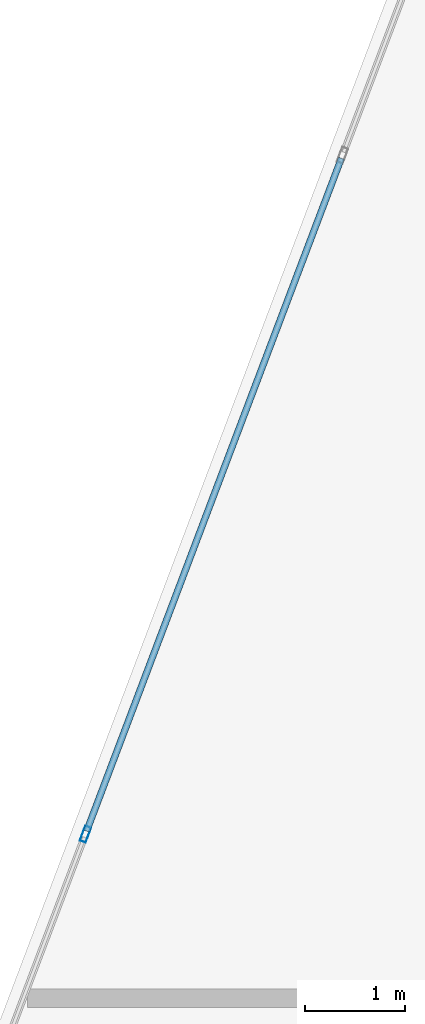
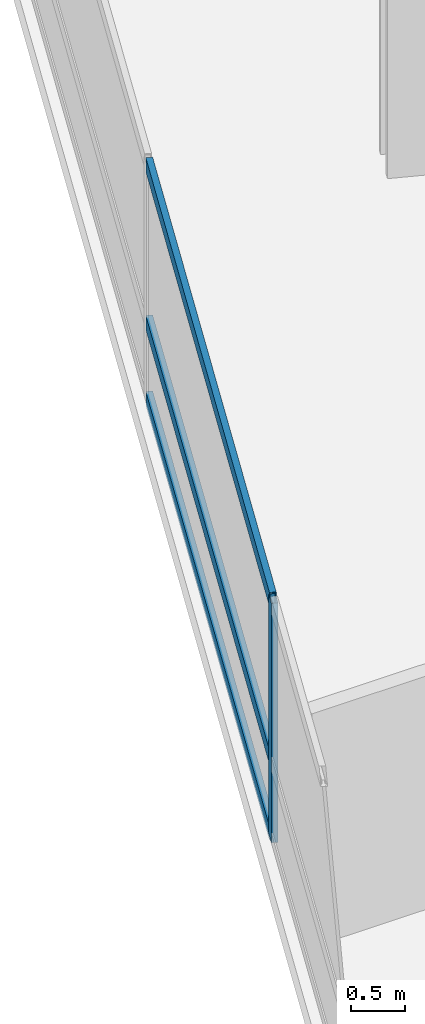
# One storey, part 4 of 26: 4 members, 1 element without a shape of its own.
"""IFC4 building model written with IfcOpenShell, lengths in metres."""

from ifc_helpers import new_model, si_unit, direction, frame, origin, origin_2d, place, context, subcontext, project, spatial, hollow_rectangle, extrude, material, layer, layer_set, material_profile, profile_set, type_object, element, aggregate, save


model = new_model("IFC4")

# Units and contexts
model_context = context("Model", 3, precision=1e-05, world=origin(), true_north=direction((0.0, 1.0)))
body_context = subcontext(model_context, "Body", "Model", "MODEL_VIEW")
ifc_project = project(units=[si_unit("LENGTHUNIT", "METRE"), si_unit("AREAUNIT", "SQUARE_METRE"), si_unit("VOLUMEUNIT", "CUBIC_METRE"), si_unit("PLANEANGLEUNIT", "RADIAN"), si_unit("MASSUNIT", "GRAM", prefix="KILO")], contexts=[model_context])

# Site, building, storey
site_placement = place(None, origin())
site = spatial("IfcSite", under=ifc_project, at=site_placement, CompositionType="ELEMENT")
building_placement = place(site_placement, origin())
building = spatial("IfcBuilding", under=site, at=building_placement, Name="Varnelok Gate Tower", CompositionType="ELEMENT")
storey_placement = place(building_placement, frame((0.0, 0.0, 109.5)))
storey = spatial("IfcBuildingStorey", under=building, at=storey_placement, Name="L27", CompositionType="ELEMENT", Elevation=109.5)

# Curtain wall, members
ifc_material = material(Name="Anodized Aluminum Alloy 6063-T6", Category="aluminium")
ifc_layer = layer(ifc_material, 0.179931640625)
ifc_layer_set = layer_set([ifc_layer], Name="Anodized Aluminum Alloy 6063-T6")
curtain_wall_type = type_object("IfcCurtainWallType", Name="CW3-HOTEL-VISION", PredefinedType="USERDEFINED", material=ifc_layer_set)
curtain_wall_placement = place(storey_placement, origin())
curtain_wall = element("IfcCurtainWall", 1, at=curtain_wall_placement, inside=storey, type_object=curtain_wall_type, Name="L27 West End Vision Curtain Wall", ObjectType="UNITISED CURTAIN WALL", PredefinedType="USERDEFINED")
ifc_material_profile_1 = material_profile(ifc_material, hollow_rectangle(XDim=0.06494140625, YDim=0.159912109375, WallThickness=0.00390625, at=origin_2d()), Name="ALU160X65X4")
ifc_profile_set_1 = profile_set([ifc_material_profile_1], Name="Anodized Aluminum Alloy 6063-T6")
member_type_1 = type_object("IfcMemberType", Name="CW-MULL-160", PredefinedType="MULLION", material=ifc_profile_set_1)
member_1_placement = place(storey_placement, frame((0.508544921875, 28.3359375, 0.0), z_axis=(0.0, 0.0, 1.0), x_axis=(-0.935221323688, 0.354063660545, 0.0)))
member_1 = element("IfcMember", 2, at=member_1_placement, type_object=member_type_1, Name="CW3 mullion 2", PredefinedType="MULLION", context=body_context, shape_type="SweptSolid", body=[
    extrude(hollow_rectangle(XDim=0.06494140625, YDim=0.159912109375, WallThickness=0.00390625, at=origin_2d()), origin(), (0.0, 0.0, 1.0), 2.72998046875),
])
ifc_material_profile_2 = material_profile(ifc_material, hollow_rectangle(XDim=0.06494140625, YDim=0.159912109375, WallThickness=0.00390625, at=origin_2d()), Name="ALU160X65X4")
ifc_profile_set_2 = profile_set([ifc_material_profile_2], Name="Anodized Aluminum Alloy 6063-T6")
member_type_2 = type_object("IfcMemberType", Name="CW-TRAN-160", PredefinedType="USERDEFINED", material=ifc_profile_set_2)
member_2_placement = place(storey_placement, frame((0.52001953125, 28.3662109375, 0.032470703125), z_axis=(0.354078724634, 0.935215620465, 0.0), x_axis=(-0.935215620465, 0.354078724634, 0.0)))
member_2 = element("IfcMember", 3, at=member_2_placement, type_object=member_type_2, Name="CW3 transom 2.1", ObjectType="TRANSOM", PredefinedType="USERDEFINED", context=body_context, shape_type="SweptSolid", body=[
    extrude(hollow_rectangle(XDim=0.06494140625, YDim=0.159912109375, WallThickness=0.00390625, at=origin_2d()), origin(), (0.0, 0.0, 1.0), 7.175048828125),
])
member_3_placement = place(storey_placement, frame((0.52001953125, 28.3662109375, 0.89990234375), z_axis=(0.354078724634, 0.935215620465, 0.0), x_axis=(-0.935215620465, 0.354078724634, 0.0)))
member_3 = element("IfcMember", 4, at=member_3_placement, type_object=member_type_2, Name="CW3 transom 2.2", ObjectType="TRANSOM", PredefinedType="USERDEFINED", context=body_context, shape_type="SweptSolid", body=[
    extrude(hollow_rectangle(XDim=0.06494140625, YDim=0.159912109375, WallThickness=0.00390625, at=origin_2d()), origin(), (0.0, 0.0, 1.0), 7.175048828125),
])
member_4_placement = place(storey_placement, frame((0.52001953125, 28.3662109375, 2.697509765625), z_axis=(0.354078724634, 0.935215620465, 0.0), x_axis=(-0.935215620465, 0.354078724634, 0.0)))
member_4 = element("IfcMember", 5, at=member_4_placement, type_object=member_type_2, Name="CW3 transom 2.3", ObjectType="TRANSOM", PredefinedType="USERDEFINED", context=body_context, shape_type="SweptSolid", body=[
    extrude(hollow_rectangle(XDim=0.06494140625, YDim=0.159912109375, WallThickness=0.00390625, at=origin_2d()), origin(), (0.0, 0.0, 1.0), 7.175048828125),
])
aggregate(curtain_wall, [member_1, member_2, member_3, member_4])

save(model, "model.ifc")
